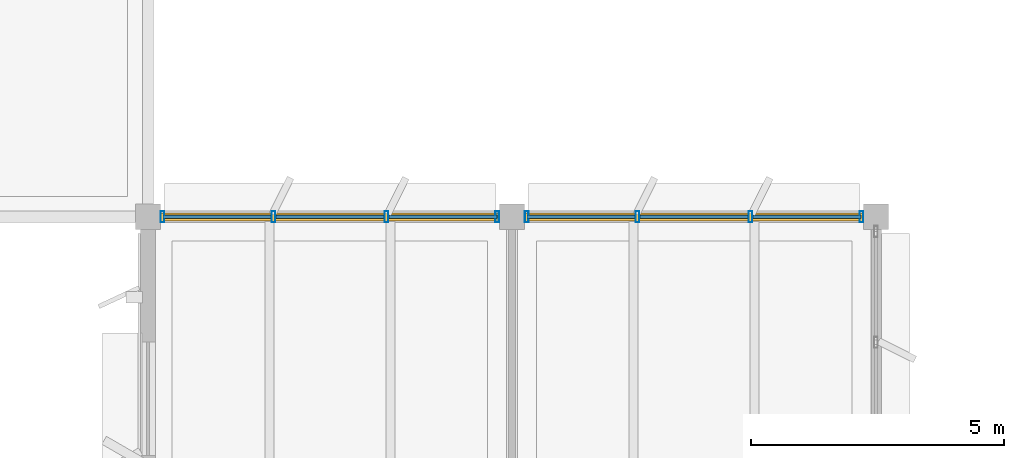
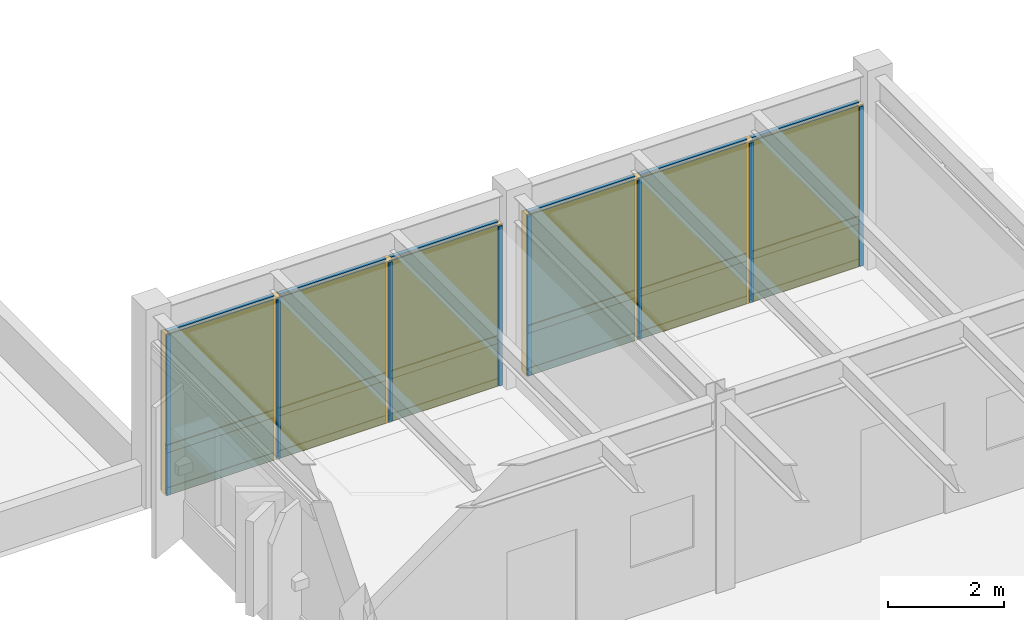
# One storey, part 62 of 85: 26 members, 12 plates, 2 curtain walls.
"""IFC4 building model written with IfcOpenShell, lengths in metres."""

import ifcopenshell
import ifcopenshell.guid

model = None  # the IFC model being written
_history = None  # IfcOwnerHistory: only IFC2X3 demands one
_inside = {}  # id of a spatial element -> (the spatial element, [elements in it])
_under = {}  # id of a project, library or spatial element -> (it, [spatial elements below it])
_declared = {}  # id of a project -> (the project, [libraries it declares])
_typed = {}  # id of a type object -> (the type object, [elements of that type])
_made_of = {}  # id of a material, layer set ... -> (it, [elements and type objects made of it])


def new_model(schema):
    """Start an empty IFC model of exactly this schema.

    Asked for "IFC4X3", IfcOpenShell would pick the latest addendum, in which some entities
    have other attributes; the version numbers below select the first issue.
    IFC2X3 requires an IfcOwnerHistory on every rooted entity: one is made here for all.
    """
    global model, _history
    if schema == "IFC4X3":
        model = ifcopenshell.file(schema_version=(4, 3, 0, 0))
    else:
        model = ifcopenshell.file(schema=schema)
    _inside.clear()
    _under.clear()
    _declared.clear()
    _typed.clear()
    _made_of.clear()
    _history = None
    if model.schema == "IFC2X3":
        org = make("IfcOrganization", Name="unknown")
        user = make(
            "IfcPersonAndOrganization",
            ThePerson=make("IfcPerson", FamilyName="unknown"),
            TheOrganization=org,
        )
        app = make(
            "IfcApplication",
            ApplicationDeveloper=org,
            Version="unknown",
            ApplicationFullName="unknown",
            ApplicationIdentifier="unknown",
        )
        _history = make(
            "IfcOwnerHistory",
            OwningUser=user,
            OwningApplication=app,
            ChangeAction="ADDED",
            CreationDate=0,
        )
    return model


def make(cls, **values):
    """One entity of the class cls with the attributes given. An attribute that is None is left unset."""
    return model.create_entity(
        cls, **{name: value for name, value in values.items() if value is not None}
    )


def rooted(cls, **values):
    """An entity with a GlobalId (a new one), such as an element, a storey or a relation."""
    return make(cls, GlobalId=ifcopenshell.guid.new(), OwnerHistory=_history, **values)


def si_unit(unit_type, name, prefix=None):
    """IfcSIUnit, for example si_unit("LENGTHUNIT", "METRE", prefix="MILLI")."""
    return make("IfcSIUnit", UnitType=unit_type, Prefix=prefix, Name=name)


def assignment(units):
    """IfcUnitAssignment: the units of a project."""
    return None if units is None else make("IfcUnitAssignment", Units=units)


def point(xyz):
    """IfcCartesianPoint."""
    return None if xyz is None else make("IfcCartesianPoint", Coordinates=xyz)


def direction(xyz):
    """IfcDirection."""
    return None if xyz is None else make("IfcDirection", DirectionRatios=xyz)


def frame(location, z_axis=None, x_axis=None):
    """IfcAxis2Placement3D, a coordinate frame: its origin and axes. An axis left out is left unset."""
    return make(
        "IfcAxis2Placement3D",
        Location=point(location),
        Axis=direction(z_axis),
        RefDirection=direction(x_axis),
    )


def frame_2d(location, x_axis=None):
    """IfcAxis2Placement2D, a coordinate frame in the plane: its origin and x axis."""
    return make(
        "IfcAxis2Placement2D", Location=point(location), RefDirection=direction(x_axis)
    )


def origin():
    """The frame at (0, 0, 0) with its axes left unset."""
    return frame((0.0, 0.0, 0.0))


def origin_2d():
    """The frame at (0, 0) in the plane with its x axis left unset."""
    return frame_2d((0.0, 0.0))


def place(relative_to, where):
    """IfcLocalPlacement: puts the frame where relative to a parent placement (None: the world)."""
    return make(
        "IfcLocalPlacement", PlacementRelTo=relative_to, RelativePlacement=where
    )


def context(
    kind, dimensions, precision=None, world=None, true_north=None, identifier=None
):
    """IfcGeometricRepresentationContext, for example the 3D "Model" context."""
    return make(
        "IfcGeometricRepresentationContext",
        ContextIdentifier=identifier,
        ContextType=kind,
        CoordinateSpaceDimension=dimensions,
        Precision=precision,
        WorldCoordinateSystem=world,
        TrueNorth=true_north,
    )


def subcontext(parent, identifier, kind, view, scale=None):
    """IfcGeometricRepresentationSubContext, for example "Body" below "Model"."""
    return make(
        "IfcGeometricRepresentationSubContext",
        ContextIdentifier=identifier,
        ContextType=kind,
        ParentContext=parent,
        TargetScale=scale,
        TargetView=view,
    )


def project(units=None, contexts=None):
    """IfcProject with its units and contexts."""
    return rooted(
        "IfcProject",
        Name="project",
        RepresentationContexts=contexts,
        UnitsInContext=assignment(units),
    )


def spatial(cls, under=None, at=None, **own):
    """A site, building, storey or space (cls), placed at a placement, below another one or the project."""
    s = rooted(cls, ObjectPlacement=at, **own)
    if under is not None:
        _under.setdefault(under.id(), (under, []))[1].append(s)
    return s


def profile(cls, at=None, kind="AREA", **sizes):
    """A parametric profile (cls). Its sizes go by their IFC names, for example OverallWidth=200.0."""
    return make(cls, ProfileType=kind, Position=at, **sizes)


def rectangle(**sizes):
    """IfcRectangleProfileDef."""
    return profile("IfcRectangleProfileDef", **sizes)


def hollow_rectangle(**sizes):
    """IfcRectangleHollowProfileDef."""
    return profile("IfcRectangleHollowProfileDef", **sizes)


def extrude(swept, where, along, depth):
    """IfcExtrudedAreaSolid: the profile swept, set in the frame where, extruded along a direction by depth."""
    return make(
        "IfcExtrudedAreaSolid",
        SweptArea=swept,
        Position=where,
        ExtrudedDirection=direction(along),
        Depth=depth,
    )


def shape(context_of_items, identifier, shape_type, items):
    """IfcShapeRepresentation: the items that make up one representation, for example the "Body"."""
    return make(
        "IfcShapeRepresentation",
        ContextOfItems=context_of_items,
        RepresentationIdentifier=identifier,
        RepresentationType=shape_type,
        Items=items,
    )


def material(Name=None, Category=None):
    """IfcMaterial."""
    return make("IfcMaterial", Name=Name, Category=Category)


def layer(
    of_material, thickness, ventilated=None, Name=None, Category=None, Priority=None
):
    """IfcMaterialLayer: one layer of a wall or slab, of a material (None: an air gap)."""
    return make(
        "IfcMaterialLayer",
        Material=of_material,
        LayerThickness=thickness,
        IsVentilated=ventilated,
        Name=Name,
        Category=Category,
        Priority=Priority,
    )


def layer_set(layers, Name=None):
    """IfcMaterialLayerSet."""
    return make("IfcMaterialLayerSet", MaterialLayers=layers, LayerSetName=Name)


def material_profile(
    of_material, cross_section, Name=None, Category=None, Priority=None
):
    """IfcMaterialProfile: a cross section and its material."""
    return make(
        "IfcMaterialProfile",
        Name=Name,
        Material=of_material,
        Profile=cross_section,
        Priority=Priority,
        Category=Category,
    )


def profile_set(profiles, Name=None, composite=None):
    """IfcMaterialProfileSet."""
    return make(
        "IfcMaterialProfileSet",
        Name=Name,
        MaterialProfiles=profiles,
        CompositeProfile=composite,
    )


def made_of(thing, what):
    """Note that an element or type object is made of a material, layer set ...; save() writes the relation."""
    if what is not None:
        _made_of.setdefault(what.id(), (what, []))[1].append(thing)
    return thing


def type_object(cls, material=None, **own):
    """A type object (cls), such as IfcWallType, which elements share."""
    return made_of(rooted(cls, **own), material)


def element(
    cls,
    number,
    at=None,
    inside=None,
    cuts=None,
    type_object=None,
    material=None,
    context=None,
    identifier="Body",
    shape_type=None,
    held_by="IfcProductDefinitionShape",
    body=None,
    shapes=None,
    **own,
):
    """One element of the class cls, such as IfcWall. Its Tag is "e" and its number.

    at: its placement. inside: the storey or other place that contains it. cuts: it is an
    opening in that element (IfcRelVoidsElement). A single representation is given by context,
    identifier, shape_type and body (its items); several are given by shapes. held_by: the class
    of the entity that holds the representations. save() writes the other relations.
    """
    e = rooted(cls, Tag="e%d" % number, ObjectPlacement=at, **own)
    if body is not None:
        shapes = [shape(context, identifier, shape_type, body)]
    if shapes is not None:
        e.Representation = make(held_by, Representations=shapes)
    if inside is not None:
        _inside.setdefault(inside.id(), (inside, []))[1].append(e)
    if cuts is not None:
        rooted(
            "IfcRelVoidsElement", RelatingBuildingElement=cuts, RelatedOpeningElement=e
        )
    if type_object is not None:
        _typed.setdefault(type_object.id(), (type_object, []))[1].append(e)
    return made_of(e, material)


def aggregate(whole, parts):
    """IfcRelAggregates: a whole, such as a stair, and the parts it consists of."""
    return rooted("IfcRelAggregates", RelatingObject=whole, RelatedObjects=parts)


def save(model, path):
    """Write the relations noted so far, then the file.

    IfcRelAggregates (storeys below a building ...), IfcRelContainedInSpatialStructure (elements
    in a storey), IfcRelDefinesByType, IfcRelAssociatesMaterial and IfcRelDeclares: one each for
    every whole, place, type object, material and project.
    """
    for whole, parts in _under.values():
        aggregate(whole, parts)
    for where, things in _inside.values():
        rooted(
            "IfcRelContainedInSpatialStructure",
            RelatedElements=things,
            RelatingStructure=where,
        )
    for kind, things in _typed.values():
        rooted("IfcRelDefinesByType", RelatedObjects=things, RelatingType=kind)
    for what, things in _made_of.values():
        rooted("IfcRelAssociatesMaterial", RelatedObjects=things, RelatingMaterial=what)
    for by, libraries in _declared.values():
        rooted("IfcRelDeclares", RelatingContext=by, RelatedDefinitions=libraries)
    model.write(path)


model = new_model("IFC4")

# Units and contexts
model_context = context("Model", 3, precision=1e-05, world=origin(), true_north=direction((0.0, 1.0)))
body_context = subcontext(model_context, "Body", "Model", "MODEL_VIEW")
ifc_project = project(units=[si_unit("LENGTHUNIT", "METRE"), si_unit("AREAUNIT", "SQUARE_METRE"), si_unit("VOLUMEUNIT", "CUBIC_METRE"), si_unit("PLANEANGLEUNIT", "RADIAN"), si_unit("MASSUNIT", "GRAM", prefix="KILO")], contexts=[model_context])

# Member
ifc_material_1 = material(Name="Anodized Aluminium 6063-T6", Category="aluminium")
ifc_material_profile_1 = material_profile(ifc_material_1, hollow_rectangle(XDim=0.074951171875, YDim=0.219970703125, WallThickness=0.0048828125, at=origin_2d()), Name="ALU 75x220x5")
ifc_profile_set_1 = profile_set([ifc_material_profile_1], Name="Anodized Aluminium 6063-T6")
member_type_1 = type_object("IfcMemberType", Name="CWM-75X180", PredefinedType="MULLION", material=ifc_profile_set_1)
site_placement = place(None, origin())
building_placement = place(site_placement, origin())
storey_placement = place(building_placement, frame((0.0, 0.0, 9.89990234375)))
member_1_placement = place(storey_placement, frame((122.68994140625, 79.199951171875, 0.02001953125), z_axis=(0.0, 0.0, 1.0), x_axis=(1.0, 0.0, 0.0)))
member_1 = element("IfcMember", 1, at=member_1_placement, type_object=member_type_1, Name="Curtain wall mullion CW-L03-17-10-N-00", PredefinedType="MULLION", context=body_context, shape_type="SweptSolid", body=[
    extrude(hollow_rectangle(XDim=0.074951171875, YDim=0.219970703125, WallThickness=0.0048828125, at=origin_2d()), origin(), (0.0, 0.0, 1.0), 3.3681640625),
])

member_2_placement = place(storey_placement, frame((124.88330078125, 79.199951171875, 0.02001953125), z_axis=(0.0, 0.0, 1.0), x_axis=(1.0, 0.0, 0.0)))
member_2 = element("IfcMember", 2, at=member_2_placement, type_object=member_type_1, Name="Curtain wall mullion CW-L03-17-10-N-01", PredefinedType="MULLION", context=body_context, shape_type="SweptSolid", body=[
    extrude(hollow_rectangle(XDim=0.074951171875, YDim=0.219970703125, WallThickness=0.0048828125, at=origin_2d()), origin(), (0.0, 0.0, 1.0), 3.3681640625),
])

member_3_placement = place(storey_placement, frame((127.11669921875, 79.199951171875, 0.02001953125), z_axis=(0.0, 0.0, 1.0), x_axis=(1.0, 0.0, 0.0)))
member_3 = element("IfcMember", 3, at=member_3_placement, type_object=member_type_1, Name="Curtain wall mullion CW-L03-17-10-N-02", PredefinedType="MULLION", context=body_context, shape_type="SweptSolid", body=[
    extrude(hollow_rectangle(XDim=0.074951171875, YDim=0.219970703125, WallThickness=0.0048828125, at=origin_2d()), origin(), (0.0, 0.0, 1.0), 3.3681640625),
])

member_4_placement = place(storey_placement, frame((129.31005859375, 79.199951171875, 0.02001953125), z_axis=(0.0, 0.0, 1.0), x_axis=(1.0, 0.0, 0.0)))
member_4 = element("IfcMember", 4, at=member_4_placement, type_object=member_type_1, Name="Curtain wall mullion CW-L03-17-10-N-03", PredefinedType="MULLION", context=body_context, shape_type="SweptSolid", body=[
    extrude(hollow_rectangle(XDim=0.074951171875, YDim=0.219970703125, WallThickness=0.0048828125, at=origin_2d()), origin(), (0.0, 0.0, 1.0), 3.3681640625),
])

member_5_placement = place(storey_placement, frame((129.889892578125, 79.199951171875, 0.02001953125), z_axis=(0.0, 0.0, 1.0), x_axis=(1.0, 0.0, 0.0)))
member_5 = element("IfcMember", 5, at=member_5_placement, type_object=member_type_1, Name="Curtain wall mullion CW-L03-18-10-N-00", PredefinedType="MULLION", context=body_context, shape_type="SweptSolid", body=[
    extrude(hollow_rectangle(XDim=0.074951171875, YDim=0.219970703125, WallThickness=0.0048828125, at=origin_2d()), origin(), (0.0, 0.0, 1.0), 3.3681640625),
])

member_6_placement = place(storey_placement, frame((132.083251953125, 79.199951171875, 0.02001953125), z_axis=(0.0, 0.0, 1.0), x_axis=(1.0, 0.0, 0.0)))
member_6 = element("IfcMember", 6, at=member_6_placement, type_object=member_type_1, Name="Curtain wall mullion CW-L03-18-10-N-01", PredefinedType="MULLION", context=body_context, shape_type="SweptSolid", body=[
    extrude(hollow_rectangle(XDim=0.074951171875, YDim=0.219970703125, WallThickness=0.0048828125, at=origin_2d()), origin(), (0.0, 0.0, 1.0), 3.3681640625),
])

member_7_placement = place(storey_placement, frame((134.316650390625, 79.199951171875, 0.02001953125), z_axis=(0.0, 0.0, 1.0), x_axis=(1.0, 0.0, 0.0)))
member_7 = element("IfcMember", 7, at=member_7_placement, type_object=member_type_1, Name="Curtain wall mullion CW-L03-18-10-N-02", PredefinedType="MULLION", context=body_context, shape_type="SweptSolid", body=[
    extrude(hollow_rectangle(XDim=0.074951171875, YDim=0.219970703125, WallThickness=0.0048828125, at=origin_2d()), origin(), (0.0, 0.0, 1.0), 3.3681640625),
])

member_8_placement = place(storey_placement, frame((136.510009765625, 79.199951171875, 0.02001953125), z_axis=(0.0, 0.0, 1.0), x_axis=(1.0, 0.0, 0.0)))
member_8 = element("IfcMember", 8, at=member_8_placement, type_object=member_type_1, Name="Curtain wall mullion CW-L03-18-10-N-03", PredefinedType="MULLION", context=body_context, shape_type="SweptSolid", body=[
    extrude(hollow_rectangle(XDim=0.074951171875, YDim=0.219970703125, WallThickness=0.0048828125, at=origin_2d()), origin(), (0.0, 0.0, 1.0), 3.3681640625),
])

ifc_material_profile_2 = material_profile(ifc_material_1, hollow_rectangle(XDim=0.074951171875, YDim=0.159912109375, WallThickness=0.00390625, at=origin_2d()), Name="ALU 75x160x4")
ifc_profile_set_2 = profile_set([ifc_material_profile_2], Name="Anodized Aluminium 6063-T6")
member_type_2 = type_object("IfcMemberType", Name="CWT-75X150", PredefinedType="USERDEFINED", material=ifc_profile_set_2)
member_9_placement = place(storey_placement, frame((122.699951171875, 79.199951171875, 0.050048828125), z_axis=(1.0, 0.0, 0.0), x_axis=(0.0, 1.0, 0.0)))
member_9 = element("IfcMember", 9, at=member_9_placement, type_object=member_type_2, Name="Curtain wall transom CW-L03-17-10-N-1.01", ObjectType="TRANSOM", PredefinedType="USERDEFINED", context=body_context, shape_type="SweptSolid", body=[
    extrude(hollow_rectangle(XDim=0.074951171875, YDim=0.159912109375, WallThickness=0.00390625, at=origin_2d()), origin(), (0.0, 0.0, 1.0), 2.13330078125),
])

member_10_placement = place(storey_placement, frame((124.933349609375, 79.199951171875, 0.050048828125), z_axis=(1.0, 0.0, 0.0), x_axis=(0.0, 1.0, 0.0)))
member_10 = element("IfcMember", 10, at=member_10_placement, type_object=member_type_2, Name="Curtain wall transom CW-L03-17-10-N-1.02", ObjectType="TRANSOM", PredefinedType="USERDEFINED", context=body_context, shape_type="SweptSolid", body=[
    extrude(hollow_rectangle(XDim=0.074951171875, YDim=0.159912109375, WallThickness=0.00390625, at=origin_2d()), origin(), (0.0, 0.0, 1.0), 2.13330078125),
])

member_11_placement = place(storey_placement, frame((127.166748046875, 79.199951171875, 0.050048828125), z_axis=(1.0, 0.0, 0.0), x_axis=(0.0, 1.0, 0.0)))
member_11 = element("IfcMember", 11, at=member_11_placement, type_object=member_type_2, Name="Curtain wall transom CW-L03-17-10-N-1.03", ObjectType="TRANSOM", PredefinedType="USERDEFINED", context=body_context, shape_type="SweptSolid", body=[
    extrude(hollow_rectangle(XDim=0.074951171875, YDim=0.159912109375, WallThickness=0.00390625, at=origin_2d()), origin(), (0.0, 0.0, 1.0), 2.13330078125),
])

member_12_placement = place(storey_placement, frame((122.699951171875, 79.199951171875, 0.9501953125), z_axis=(1.0, 0.0, 0.0), x_axis=(0.0, 1.0, 0.0)))
member_12 = element("IfcMember", 12, at=member_12_placement, type_object=member_type_2, Name="Curtain wall transom CW-L03-17-10-N-2.01", ObjectType="TRANSOM", PredefinedType="USERDEFINED", context=body_context, shape_type="SweptSolid", body=[
    extrude(hollow_rectangle(XDim=0.074951171875, YDim=0.159912109375, WallThickness=0.00390625, at=origin_2d()), origin(), (0.0, 0.0, 1.0), 2.13330078125),
])

member_13_placement = place(storey_placement, frame((124.933349609375, 79.199951171875, 0.9501953125), z_axis=(1.0, 0.0, 0.0), x_axis=(0.0, 1.0, 0.0)))
member_13 = element("IfcMember", 13, at=member_13_placement, type_object=member_type_2, Name="Curtain wall transom CW-L03-17-10-N-2.02", ObjectType="TRANSOM", PredefinedType="USERDEFINED", context=body_context, shape_type="SweptSolid", body=[
    extrude(hollow_rectangle(XDim=0.074951171875, YDim=0.159912109375, WallThickness=0.00390625, at=origin_2d()), origin(), (0.0, 0.0, 1.0), 2.13330078125),
])

member_14_placement = place(storey_placement, frame((127.166748046875, 79.199951171875, 0.9501953125), z_axis=(1.0, 0.0, 0.0), x_axis=(0.0, 1.0, 0.0)))
member_14 = element("IfcMember", 14, at=member_14_placement, type_object=member_type_2, Name="Curtain wall transom CW-L03-17-10-N-2.03", ObjectType="TRANSOM", PredefinedType="USERDEFINED", context=body_context, shape_type="SweptSolid", body=[
    extrude(hollow_rectangle(XDim=0.074951171875, YDim=0.159912109375, WallThickness=0.00390625, at=origin_2d()), origin(), (0.0, 0.0, 1.0), 2.13330078125),
])

member_15_placement = place(storey_placement, frame((122.699951171875, 79.199951171875, 3.358154296875), z_axis=(1.0, 0.0, 0.0), x_axis=(0.0, 1.0, 0.0)))
member_15 = element("IfcMember", 15, at=member_15_placement, type_object=member_type_2, Name="Curtain wall transom CW-L03-17-10-N-3.01", ObjectType="TRANSOM", PredefinedType="USERDEFINED", context=body_context, shape_type="SweptSolid", body=[
    extrude(hollow_rectangle(XDim=0.074951171875, YDim=0.159912109375, WallThickness=0.00390625, at=origin_2d()), origin(), (0.0, 0.0, 1.0), 2.13330078125),
])

member_16_placement = place(storey_placement, frame((124.933349609375, 79.199951171875, 3.358154296875), z_axis=(1.0, 0.0, 0.0), x_axis=(0.0, 1.0, 0.0)))
member_16 = element("IfcMember", 16, at=member_16_placement, type_object=member_type_2, Name="Curtain wall transom CW-L03-17-10-N-3.02", ObjectType="TRANSOM", PredefinedType="USERDEFINED", context=body_context, shape_type="SweptSolid", body=[
    extrude(hollow_rectangle(XDim=0.074951171875, YDim=0.159912109375, WallThickness=0.00390625, at=origin_2d()), origin(), (0.0, 0.0, 1.0), 2.13330078125),
])

member_17_placement = place(storey_placement, frame((127.166748046875, 79.199951171875, 3.358154296875), z_axis=(1.0, 0.0, 0.0), x_axis=(0.0, 1.0, 0.0)))
member_17 = element("IfcMember", 17, at=member_17_placement, type_object=member_type_2, Name="Curtain wall transom CW-L03-17-10-N-3.03", ObjectType="TRANSOM", PredefinedType="USERDEFINED", context=body_context, shape_type="SweptSolid", body=[
    extrude(hollow_rectangle(XDim=0.074951171875, YDim=0.159912109375, WallThickness=0.00390625, at=origin_2d()), origin(), (0.0, 0.0, 1.0), 2.13330078125),
])

member_18_placement = place(storey_placement, frame((129.89990234375, 79.199951171875, 0.050048828125), z_axis=(1.0, 0.0, 0.0), x_axis=(0.0, 1.0, 0.0)))
member_18 = element("IfcMember", 18, at=member_18_placement, type_object=member_type_2, Name="Curtain wall transom CW-L03-18-10-N-1.01", ObjectType="TRANSOM", PredefinedType="USERDEFINED", context=body_context, shape_type="SweptSolid", body=[
    extrude(hollow_rectangle(XDim=0.074951171875, YDim=0.159912109375, WallThickness=0.00390625, at=origin_2d()), origin(), (0.0, 0.0, 1.0), 2.13330078125),
])

member_19_placement = place(storey_placement, frame((132.13330078125, 79.199951171875, 0.050048828125), z_axis=(1.0, 0.0, 0.0), x_axis=(0.0, 1.0, 0.0)))
member_19 = element("IfcMember", 19, at=member_19_placement, type_object=member_type_2, Name="Curtain wall transom CW-L03-18-10-N-1.02", ObjectType="TRANSOM", PredefinedType="USERDEFINED", context=body_context, shape_type="SweptSolid", body=[
    extrude(hollow_rectangle(XDim=0.074951171875, YDim=0.159912109375, WallThickness=0.00390625, at=origin_2d()), origin(), (0.0, 0.0, 1.0), 2.13330078125),
])

member_20_placement = place(storey_placement, frame((134.36669921875, 79.199951171875, 0.050048828125), z_axis=(1.0, 0.0, 0.0), x_axis=(0.0, 1.0, 0.0)))
member_20 = element("IfcMember", 20, at=member_20_placement, type_object=member_type_2, Name="Curtain wall transom CW-L03-18-10-N-1.03", ObjectType="TRANSOM", PredefinedType="USERDEFINED", context=body_context, shape_type="SweptSolid", body=[
    extrude(hollow_rectangle(XDim=0.074951171875, YDim=0.159912109375, WallThickness=0.00390625, at=origin_2d()), origin(), (0.0, 0.0, 1.0), 2.13330078125),
])

member_21_placement = place(storey_placement, frame((129.89990234375, 79.199951171875, 0.9501953125), z_axis=(1.0, 0.0, 0.0), x_axis=(0.0, 1.0, 0.0)))
member_21 = element("IfcMember", 21, at=member_21_placement, type_object=member_type_2, Name="Curtain wall transom CW-L03-18-10-N-2.01", ObjectType="TRANSOM", PredefinedType="USERDEFINED", context=body_context, shape_type="SweptSolid", body=[
    extrude(hollow_rectangle(XDim=0.074951171875, YDim=0.159912109375, WallThickness=0.00390625, at=origin_2d()), origin(), (0.0, 0.0, 1.0), 2.13330078125),
])

member_22_placement = place(storey_placement, frame((132.13330078125, 79.199951171875, 0.9501953125), z_axis=(1.0, 0.0, 0.0), x_axis=(0.0, 1.0, 0.0)))
member_22 = element("IfcMember", 22, at=member_22_placement, type_object=member_type_2, Name="Curtain wall transom CW-L03-18-10-N-2.02", ObjectType="TRANSOM", PredefinedType="USERDEFINED", context=body_context, shape_type="SweptSolid", body=[
    extrude(hollow_rectangle(XDim=0.074951171875, YDim=0.159912109375, WallThickness=0.00390625, at=origin_2d()), origin(), (0.0, 0.0, 1.0), 2.13330078125),
])

member_23_placement = place(storey_placement, frame((134.36669921875, 79.199951171875, 0.9501953125), z_axis=(1.0, 0.0, 0.0), x_axis=(0.0, 1.0, 0.0)))
member_23 = element("IfcMember", 23, at=member_23_placement, type_object=member_type_2, Name="Curtain wall transom CW-L03-18-10-N-2.03", ObjectType="TRANSOM", PredefinedType="USERDEFINED", context=body_context, shape_type="SweptSolid", body=[
    extrude(hollow_rectangle(XDim=0.074951171875, YDim=0.159912109375, WallThickness=0.00390625, at=origin_2d()), origin(), (0.0, 0.0, 1.0), 2.13330078125),
])

member_24_placement = place(storey_placement, frame((129.89990234375, 79.199951171875, 3.358154296875), z_axis=(1.0, 0.0, 0.0), x_axis=(0.0, 1.0, 0.0)))
member_24 = element("IfcMember", 24, at=member_24_placement, type_object=member_type_2, Name="Curtain wall transom CW-L03-18-10-N-3.01", ObjectType="TRANSOM", PredefinedType="USERDEFINED", context=body_context, shape_type="SweptSolid", body=[
    extrude(hollow_rectangle(XDim=0.074951171875, YDim=0.159912109375, WallThickness=0.00390625, at=origin_2d()), origin(), (0.0, 0.0, 1.0), 2.13330078125),
])

member_25_placement = place(storey_placement, frame((132.13330078125, 79.199951171875, 3.358154296875), z_axis=(1.0, 0.0, 0.0), x_axis=(0.0, 1.0, 0.0)))
member_25 = element("IfcMember", 25, at=member_25_placement, type_object=member_type_2, Name="Curtain wall transom CW-L03-18-10-N-3.02", ObjectType="TRANSOM", PredefinedType="USERDEFINED", context=body_context, shape_type="SweptSolid", body=[
    extrude(hollow_rectangle(XDim=0.074951171875, YDim=0.159912109375, WallThickness=0.00390625, at=origin_2d()), origin(), (0.0, 0.0, 1.0), 2.13330078125),
])

member_26_placement = place(storey_placement, frame((134.36669921875, 79.199951171875, 3.358154296875), z_axis=(1.0, 0.0, 0.0), x_axis=(0.0, 1.0, 0.0)))
member_26 = element("IfcMember", 26, at=member_26_placement, type_object=member_type_2, Name="Curtain wall transom CW-L03-18-10-N-3.03", ObjectType="TRANSOM", PredefinedType="USERDEFINED", context=body_context, shape_type="SweptSolid", body=[
    extrude(hollow_rectangle(XDim=0.074951171875, YDim=0.159912109375, WallThickness=0.00390625, at=origin_2d()), origin(), (0.0, 0.0, 1.0), 2.13330078125),
])

# Plate
ifc_material_2 = material(Name="Acoustic Laminated Low-E Glazing", Category="glass")
ifc_layer_1 = layer(ifc_material_2, 0.0439453125)
ifc_layer_set_1 = layer_set([ifc_layer_1], Name="Acoustic Laminated Low-E Glazing")
plate_type_1 = type_object("IfcPlateType", Name="CWP-IGU-44", PredefinedType="CURTAIN_PANEL", material=ifc_layer_set_1)
plate_1_placement = place(storey_placement, frame((123.7666015625, 79.199951171875, 0.990234375), z_axis=(0.0, 0.0, 1.0), x_axis=(1.0, 0.0, 0.0)))
plate_1 = element("IfcPlate", 27, at=plate_1_placement, type_object=plate_type_1, Name="Curtain wall vision glazing CW-L03-17-10-N-01", PredefinedType="CURTAIN_PANEL", context=body_context, shape_type="SweptSolid", body=[
    extrude(rectangle(XDim=2.143310546875, YDim=0.0400390625, at=origin_2d()), origin(), (0.0, 0.0, 1.0), 2.35791015625),
])

plate_2_placement = place(storey_placement, frame((126.0, 79.199951171875, 0.990234375), z_axis=(0.0, 0.0, 1.0), x_axis=(1.0, 0.0, 0.0)))
plate_2 = element("IfcPlate", 28, at=plate_2_placement, type_object=plate_type_1, Name="Curtain wall vision glazing CW-L03-17-10-N-02", PredefinedType="CURTAIN_PANEL", context=body_context, shape_type="SweptSolid", body=[
    extrude(rectangle(XDim=2.143310546875, YDim=0.0400390625, at=origin_2d()), origin(), (0.0, 0.0, 1.0), 2.35791015625),
])

plate_3_placement = place(storey_placement, frame((128.2333984375, 79.199951171875, 0.990234375), z_axis=(0.0, 0.0, 1.0), x_axis=(1.0, 0.0, 0.0)))
plate_3 = element("IfcPlate", 29, at=plate_3_placement, type_object=plate_type_1, Name="Curtain wall vision glazing CW-L03-17-10-N-03", PredefinedType="CURTAIN_PANEL", context=body_context, shape_type="SweptSolid", body=[
    extrude(rectangle(XDim=2.143310546875, YDim=0.0400390625, at=origin_2d()), origin(), (0.0, 0.0, 1.0), 2.35791015625),
])

plate_4_placement = place(storey_placement, frame((130.966796875, 79.199951171875, 0.990234375), z_axis=(0.0, 0.0, 1.0), x_axis=(1.0, 0.0, 0.0)))
plate_4 = element("IfcPlate", 30, at=plate_4_placement, type_object=plate_type_1, Name="Curtain wall vision glazing CW-L03-18-10-N-01", PredefinedType="CURTAIN_PANEL", context=body_context, shape_type="SweptSolid", body=[
    extrude(rectangle(XDim=2.143310546875, YDim=0.0400390625, at=origin_2d()), origin(), (0.0, 0.0, 1.0), 2.35791015625),
])

plate_5_placement = place(storey_placement, frame((133.199951171875, 79.199951171875, 0.990234375), z_axis=(0.0, 0.0, 1.0), x_axis=(1.0, 0.0, 0.0)))
plate_5 = element("IfcPlate", 31, at=plate_5_placement, type_object=plate_type_1, Name="Curtain wall vision glazing CW-L03-18-10-N-02", PredefinedType="CURTAIN_PANEL", context=body_context, shape_type="SweptSolid", body=[
    extrude(rectangle(XDim=2.143310546875, YDim=0.0400390625, at=origin_2d()), origin(), (0.0, 0.0, 1.0), 2.35791015625),
])

plate_6_placement = place(storey_placement, frame((135.433349609375, 79.199951171875, 0.990234375), z_axis=(0.0, 0.0, 1.0), x_axis=(1.0, 0.0, 0.0)))
plate_6 = element("IfcPlate", 32, at=plate_6_placement, type_object=plate_type_1, Name="Curtain wall vision glazing CW-L03-18-10-N-03", PredefinedType="CURTAIN_PANEL", context=body_context, shape_type="SweptSolid", body=[
    extrude(rectangle(XDim=2.143310546875, YDim=0.0400390625, at=origin_2d()), origin(), (0.0, 0.0, 1.0), 2.35791015625),
])

ifc_material_3 = material(Name="Insulated Stone-Composite Spandrel", Category="masonry")
ifc_layer_2 = layer(ifc_material_3, 0.068115234375)
ifc_layer_set_2 = layer_set([ifc_layer_2], Name="Insulated Stone-Composite Spandrel")
plate_type_2 = type_object("IfcPlateType", Name="CWP-SPN-68", PredefinedType="CURTAIN_PANEL", material=ifc_layer_set_2)
plate_7_placement = place(storey_placement, frame((123.7666015625, 79.199951171875, 0.080078125), z_axis=(0.0, 0.0, 1.0), x_axis=(1.0, 0.0, 0.0)))
plate_7 = element("IfcPlate", 33, at=plate_7_placement, type_object=plate_type_2, Name="Curtain wall spandrel panel CW-L03-17-10-N-01", PredefinedType="CURTAIN_PANEL", context=body_context, shape_type="SweptSolid", body=[
    extrude(rectangle(XDim=2.143310546875, YDim=0.06005859375, at=origin_2d()), origin(), (0.0, 0.0, 1.0), 0.840087890625),
])

plate_8_placement = place(storey_placement, frame((126.0, 79.199951171875, 0.080078125), z_axis=(0.0, 0.0, 1.0), x_axis=(1.0, 0.0, 0.0)))
plate_8 = element("IfcPlate", 34, at=plate_8_placement, type_object=plate_type_2, Name="Curtain wall spandrel panel CW-L03-17-10-N-02", PredefinedType="CURTAIN_PANEL", context=body_context, shape_type="SweptSolid", body=[
    extrude(rectangle(XDim=2.143310546875, YDim=0.06005859375, at=origin_2d()), origin(), (0.0, 0.0, 1.0), 0.840087890625),
])

plate_9_placement = place(storey_placement, frame((128.2333984375, 79.199951171875, 0.080078125), z_axis=(0.0, 0.0, 1.0), x_axis=(1.0, 0.0, 0.0)))
plate_9 = element("IfcPlate", 35, at=plate_9_placement, type_object=plate_type_2, Name="Curtain wall spandrel panel CW-L03-17-10-N-03", PredefinedType="CURTAIN_PANEL", context=body_context, shape_type="SweptSolid", body=[
    extrude(rectangle(XDim=2.143310546875, YDim=0.06005859375, at=origin_2d()), origin(), (0.0, 0.0, 1.0), 0.840087890625),
])

plate_10_placement = place(storey_placement, frame((130.966796875, 79.199951171875, 0.080078125), z_axis=(0.0, 0.0, 1.0), x_axis=(1.0, 0.0, 0.0)))
plate_10 = element("IfcPlate", 36, at=plate_10_placement, type_object=plate_type_2, Name="Curtain wall spandrel panel CW-L03-18-10-N-01", PredefinedType="CURTAIN_PANEL", context=body_context, shape_type="SweptSolid", body=[
    extrude(rectangle(XDim=2.143310546875, YDim=0.06005859375, at=origin_2d()), origin(), (0.0, 0.0, 1.0), 0.840087890625),
])

plate_11_placement = place(storey_placement, frame((133.199951171875, 79.199951171875, 0.080078125), z_axis=(0.0, 0.0, 1.0), x_axis=(1.0, 0.0, 0.0)))
plate_11 = element("IfcPlate", 37, at=plate_11_placement, type_object=plate_type_2, Name="Curtain wall spandrel panel CW-L03-18-10-N-02", PredefinedType="CURTAIN_PANEL", context=body_context, shape_type="SweptSolid", body=[
    extrude(rectangle(XDim=2.143310546875, YDim=0.06005859375, at=origin_2d()), origin(), (0.0, 0.0, 1.0), 0.840087890625),
])

plate_12_placement = place(storey_placement, frame((135.433349609375, 79.199951171875, 0.080078125), z_axis=(0.0, 0.0, 1.0), x_axis=(1.0, 0.0, 0.0)))
plate_12 = element("IfcPlate", 38, at=plate_12_placement, type_object=plate_type_2, Name="Curtain wall spandrel panel CW-L03-18-10-N-03", PredefinedType="CURTAIN_PANEL", context=body_context, shape_type="SweptSolid", body=[
    extrude(rectangle(XDim=2.143310546875, YDim=0.06005859375, at=origin_2d()), origin(), (0.0, 0.0, 1.0), 0.840087890625),
])

# Site, building, storey
site = spatial("IfcSite", under=ifc_project, at=site_placement, CompositionType="ELEMENT")
building = spatial("IfcBuilding", under=site, at=building_placement, Name="Sillqori Civic Hall", CompositionType="ELEMENT")
storey = spatial("IfcBuildingStorey", under=building, at=storey_placement, Name="L03", CompositionType="ELEMENT", Elevation=9.89990234375)

# Curtain wall
ifc_material_4 = material(Name="Anodized Aluminium Curtain Wall System", Category="aluminium")
curtain_wall_type = type_object("IfcCurtainWallType", Name="CW-GL-400", PredefinedType="NOTDEFINED", material=ifc_material_4)
curtain_wall_1_placement = place(storey_placement, frame((126.0, 79.199951171875, 0.0), z_axis=(0.0, 0.0, 1.0), x_axis=(1.0, 0.0, 0.0)))
curtain_wall_1 = element("IfcCurtainWall", 39, at=curtain_wall_1_placement, inside=storey, type_object=curtain_wall_type, Name="L03 unitised curtain wall CW-L03-17-10-N", PredefinedType="NOTDEFINED", context=body_context, shape_type="SweptSolid", body=[
    extrude(rectangle(XDim=6.699951171875, YDim=0.159912109375, at=origin_2d()), origin(), (0.0, 0.0, 1.0), 3.407958984375),
])

aggregate(curtain_wall_1, [member_1, member_2, member_3, member_4, member_9, member_10, member_11, member_12, member_13, member_14, member_15, member_16, member_17, plate_7, plate_1, plate_8, plate_2, plate_9, plate_3])

curtain_wall_2_placement = place(storey_placement, frame((133.199951171875, 79.199951171875, 0.0), z_axis=(0.0, 0.0, 1.0), x_axis=(1.0, 0.0, 0.0)))
curtain_wall_2 = element("IfcCurtainWall", 40, at=curtain_wall_2_placement, inside=storey, type_object=curtain_wall_type, Name="L03 unitised curtain wall CW-L03-18-10-N", PredefinedType="NOTDEFINED", context=body_context, shape_type="SweptSolid", body=[
    extrude(rectangle(XDim=6.699951171875, YDim=0.159912109375, at=origin_2d()), origin(), (0.0, 0.0, 1.0), 3.407958984375),
])

aggregate(curtain_wall_2, [member_5, member_6, member_7, member_8, member_18, member_19, member_20, member_21, member_22, member_23, member_24, member_25, member_26, plate_10, plate_4, plate_11, plate_5, plate_12, plate_6])

save(model, "model.ifc")
